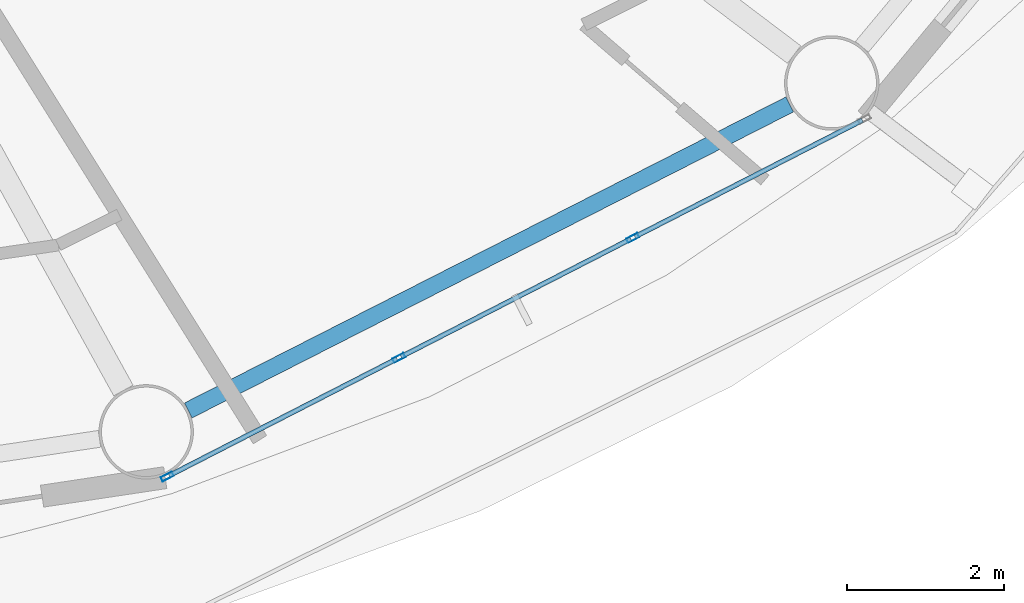
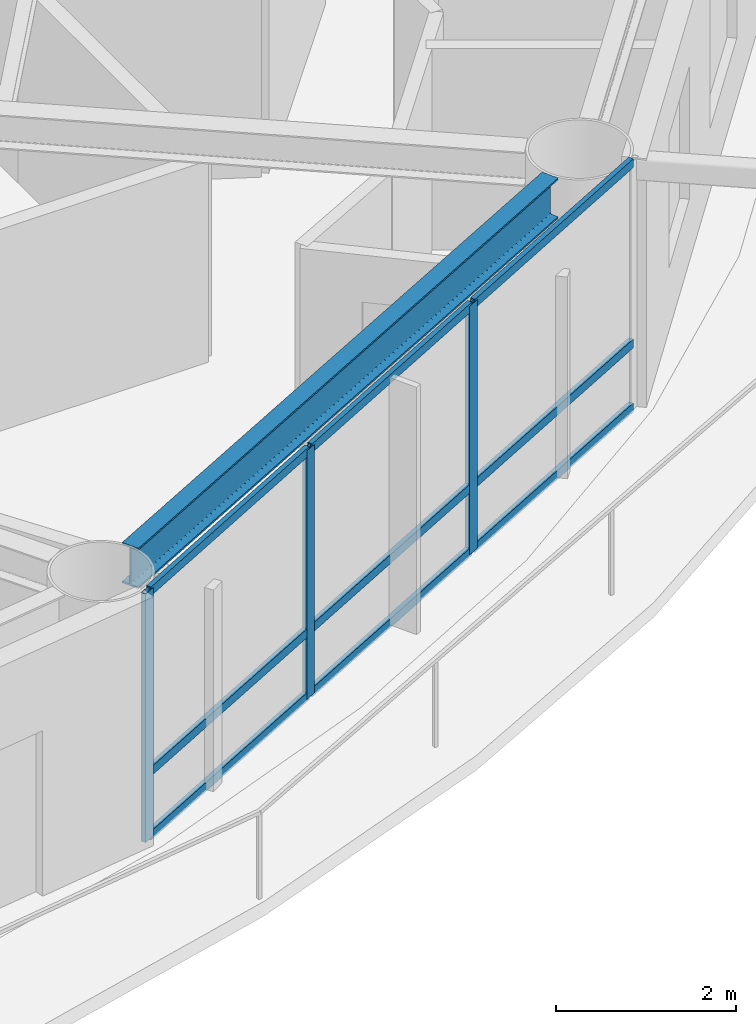
# One storey, part 5 of 27: 12 members, 1 beam, 1 element without a shape of its own.
"""IFC4 building model written with IfcOpenShell, lengths in metres."""

from ifc_helpers import new_model, si_unit, direction, frame, origin, origin_2d, place, context, subcontext, project, spatial, hollow_rectangle, i_section, extrude, material, layer, layer_set, material_profile, profile_set, type_object, element, aggregate, save


model = new_model("IFC4")

# Units and contexts
model_context = context("Model", 3, precision=1e-05, world=origin(), true_north=direction((0.0, 1.0)))
body_context = subcontext(model_context, "Body", "Model", "MODEL_VIEW")
ifc_project = project(units=[si_unit("LENGTHUNIT", "METRE"), si_unit("AREAUNIT", "SQUARE_METRE"), si_unit("VOLUMEUNIT", "CUBIC_METRE"), si_unit("PLANEANGLEUNIT", "RADIAN"), si_unit("MASSUNIT", "GRAM", prefix="KILO")], contexts=[model_context])

# Site, building, storey
site_placement = place(None, origin())
site = spatial("IfcSite", under=ifc_project, at=site_placement, CompositionType="ELEMENT")
building_placement = place(site_placement, origin())
building = spatial("IfcBuilding", under=site, at=building_placement, Name="Sarneth Arch Tower", CompositionType="ELEMENT")
storey_placement = place(building_placement, frame((0.0, 0.0, 193.800048828125)))
storey = spatial("IfcBuildingStorey", under=building, at=storey_placement, Name="L49", CompositionType="ELEMENT", Elevation=193.800048828125)

# Beam
ifc_material_1 = material(Name="Steel S355", Category="steel")
ifc_material_profile_1 = material_profile(ifc_material_1, i_section(OverallWidth=0.214111328125, OverallDepth=0.549072265625, WebThickness=0.0146484375, FlangeThickness=0.023681640625, FilletRadius=0.01806640625, at=origin_2d()), Name="W530x138")
ifc_profile_set_1 = profile_set([ifc_material_profile_1], Name="Steel S355")
beam_type = type_object("IfcBeamType", Name="BM-RAD-530A", PredefinedType="BEAM", material=ifc_profile_set_1)
beam_placement = place(storey_placement, frame((58.95654296875, 23.378662109375, 3.10546875), z_axis=(0.891250372735, 0.453511601945, 0.0), x_axis=(-0.453511601945, 0.891250372735, 0.0)))
element("IfcBeam", 1, at=beam_placement, inside=storey, type_object=beam_type, Name="L49 Perimeter spandrel beam 14", PredefinedType="BEAM", context=body_context, shape_type="SweptSolid", body=[
    extrude(i_section(OverallWidth=0.214111328125, OverallDepth=0.549072265625, WebThickness=0.0146484375, FlangeThickness=0.023681640625, FilletRadius=0.01806640625, at=origin_2d()), origin(), (0.0, 0.0, 1.0), 8.5751953125),
])

# Curtain wall, members
ifc_material_2 = material(Name="Anodised aluminium Type AA25 and solar-control low-e laminated IGU", Category="aluminium")
ifc_layer = layer(ifc_material_2, 0.169921875)
ifc_layer_set = layer_set([ifc_layer], Name="Anodised aluminium Type AA25 and solar-control low-e laminated IGU")
curtain_wall_type = type_object("IfcCurtainWallType", Name="CW-RES-MID", PredefinedType="NOTDEFINED", material=ifc_layer_set)
curtain_wall_placement = place(storey_placement, origin())
curtain_wall = element("IfcCurtainWall", 2, at=curtain_wall_placement, inside=storey, type_object=curtain_wall_type, Name="L49 Unitised curtain wall facet 14", PredefinedType="NOTDEFINED")
ifc_material_3 = material(Name="Anodised Aluminium 6063-T6", Category="aluminium")
ifc_material_profile_2 = material_profile(ifc_material_3, hollow_rectangle(XDim=0.06005859375, YDim=0.159912109375, WallThickness=0.00390625, at=origin_2d()), Name="AL-MULL-160x60x4")
ifc_profile_set_2 = profile_set([ifc_material_profile_2], Name="Anodised Aluminium 6063-T6")
member_type_1 = type_object("IfcMemberType", Name="CW-MULLION", PredefinedType="MULLION", material=ifc_profile_set_2)
member_1_placement = place(storey_placement, frame((58.689453125, 22.538330078125, 0.0), z_axis=(0.0, 0.0, 1.0), x_axis=(-0.456208470329, 0.88987293003, 0.0)))
member_1 = element("IfcMember", 3, at=member_1_placement, type_object=member_type_1, Name="CW-SYS-5 mullion 1", PredefinedType="MULLION", context=body_context, shape_type="SweptSolid", body=[
    extrude(hollow_rectangle(XDim=0.06005859375, YDim=0.159912109375, WallThickness=0.00390625, at=origin_2d()), origin(), (0.0, 0.0, 1.0), 3.3798828125),
])
member_2_placement = place(storey_placement, frame((61.634033203125, 24.0478515625, 0.0), z_axis=(0.0, 0.0, 1.0), x_axis=(-0.456208470329, 0.88987293003, 0.0)))
member_2 = element("IfcMember", 4, at=member_2_placement, type_object=member_type_1, Name="CW-SYS-5 mullion 2", PredefinedType="MULLION", context=body_context, shape_type="SweptSolid", body=[
    extrude(hollow_rectangle(XDim=0.06005859375, YDim=0.159912109375, WallThickness=0.00390625, at=origin_2d()), origin(), (0.0, 0.0, 1.0), 3.3798828125),
])
member_3_placement = place(storey_placement, frame((64.60498046875, 25.571044921875, 0.0), z_axis=(0.0, 0.0, 1.0), x_axis=(-0.456208470329, 0.88987293003, 0.0)))
member_3 = element("IfcMember", 5, at=member_3_placement, type_object=member_type_1, Name="CW-SYS-5 mullion 3", PredefinedType="MULLION", context=body_context, shape_type="SweptSolid", body=[
    extrude(hollow_rectangle(XDim=0.06005859375, YDim=0.159912109375, WallThickness=0.00390625, at=origin_2d()), origin(), (0.0, 0.0, 1.0), 3.3798828125),
])
ifc_material_4 = material(Name="Anodised Aluminium 6063-T6", Category="aluminium")
ifc_material_profile_3 = material_profile(ifc_material_4, hollow_rectangle(XDim=0.06005859375, YDim=0.1201171875, WallThickness=0.00390625, at=origin_2d()), Name="AL-TRAN-120x60x4")
ifc_profile_set_3 = profile_set([ifc_material_profile_3], Name="Anodised Aluminium 6063-T6")
member_type_2 = type_object("IfcMemberType", Name="CW-TRANSOM", PredefinedType="USERDEFINED", material=ifc_profile_set_3)
member_4_placement = place(storey_placement, frame((58.71630859375, 22.552001953125, 0.030029296875), z_axis=(0.889857362344, 0.456238835131, 0.0), x_axis=(-0.456238835131, 0.889857362344, 0.0)))
member_4 = element("IfcMember", 6, at=member_4_placement, type_object=member_type_2, Name="CW-SYS-5 transom 1.1", ObjectType="TRANSOM", PredefinedType="USERDEFINED", context=body_context, shape_type="SweptSolid", body=[
    extrude(hollow_rectangle(XDim=0.06005859375, YDim=0.1201171875, WallThickness=0.00390625, at=origin_2d()), origin(), (0.0, 0.0, 1.0), 3.248779296875),
])
member_5_placement = place(storey_placement, frame((58.71630859375, 22.552001953125, 0.89990234375), z_axis=(0.889857362344, 0.456238835131, 0.0), x_axis=(-0.456238835131, 0.889857362344, 0.0)))
member_5 = element("IfcMember", 7, at=member_5_placement, type_object=member_type_2, Name="CW-SYS-5 transom 1.2", ObjectType="TRANSOM", PredefinedType="USERDEFINED", context=body_context, shape_type="SweptSolid", body=[
    extrude(hollow_rectangle(XDim=0.06005859375, YDim=0.1201171875, WallThickness=0.00390625, at=origin_2d()), origin(), (0.0, 0.0, 1.0), 3.248779296875),
])
member_6_placement = place(storey_placement, frame((58.71630859375, 22.552001953125, 3.349853515625), z_axis=(0.889857362344, 0.456238835131, 0.0), x_axis=(-0.456238835131, 0.889857362344, 0.0)))
member_6 = element("IfcMember", 8, at=member_6_placement, type_object=member_type_2, Name="CW-SYS-5 transom 1.3", ObjectType="TRANSOM", PredefinedType="USERDEFINED", context=body_context, shape_type="SweptSolid", body=[
    extrude(hollow_rectangle(XDim=0.06005859375, YDim=0.1201171875, WallThickness=0.00390625, at=origin_2d()), origin(), (0.0, 0.0, 1.0), 3.248779296875),
])
member_7_placement = place(storey_placement, frame((61.66064453125, 24.0615234375, 0.030029296875), z_axis=(0.889869396751, 0.45621536222, 0.0), x_axis=(-0.45621536222, 0.889869396751, 0.0)))
member_7 = element("IfcMember", 9, at=member_7_placement, type_object=member_type_2, Name="CW-SYS-5 transom 2.1", ObjectType="TRANSOM", PredefinedType="USERDEFINED", context=body_context, shape_type="SweptSolid", body=[
    extrude(hollow_rectangle(XDim=0.06005859375, YDim=0.1201171875, WallThickness=0.00390625, at=origin_2d()), origin(), (0.0, 0.0, 1.0), 3.27880859375),
])
member_8_placement = place(storey_placement, frame((61.66064453125, 24.0615234375, 0.89990234375), z_axis=(0.889869396751, 0.45621536222, 0.0), x_axis=(-0.45621536222, 0.889869396751, 0.0)))
member_8 = element("IfcMember", 10, at=member_8_placement, type_object=member_type_2, Name="CW-SYS-5 transom 2.2", ObjectType="TRANSOM", PredefinedType="USERDEFINED", context=body_context, shape_type="SweptSolid", body=[
    extrude(hollow_rectangle(XDim=0.06005859375, YDim=0.1201171875, WallThickness=0.00390625, at=origin_2d()), origin(), (0.0, 0.0, 1.0), 3.27880859375),
])
member_9_placement = place(storey_placement, frame((61.66064453125, 24.0615234375, 3.349853515625), z_axis=(0.889869396751, 0.45621536222, 0.0), x_axis=(-0.45621536222, 0.889869396751, 0.0)))
member_9 = element("IfcMember", 11, at=member_9_placement, type_object=member_type_2, Name="CW-SYS-5 transom 2.3", ObjectType="TRANSOM", PredefinedType="USERDEFINED", context=body_context, shape_type="SweptSolid", body=[
    extrude(hollow_rectangle(XDim=0.06005859375, YDim=0.1201171875, WallThickness=0.00390625, at=origin_2d()), origin(), (0.0, 0.0, 1.0), 3.27880859375),
])
member_10_placement = place(storey_placement, frame((64.6318359375, 25.584716796875, 0.030029296875), z_axis=(0.889857362344, 0.456238835131, 0.0), x_axis=(-0.456238835131, 0.889857362344, 0.0)))
member_10 = element("IfcMember", 12, at=member_10_placement, type_object=member_type_2, Name="CW-SYS-5 transom 3.1", ObjectType="TRANSOM", PredefinedType="USERDEFINED", context=body_context, shape_type="SweptSolid", body=[
    extrude(hollow_rectangle(XDim=0.06005859375, YDim=0.1201171875, WallThickness=0.00390625, at=origin_2d()), origin(), (0.0, 0.0, 1.0), 3.248779296875),
])
member_11_placement = place(storey_placement, frame((64.6318359375, 25.584716796875, 0.89990234375), z_axis=(0.889857362344, 0.456238835131, 0.0), x_axis=(-0.456238835131, 0.889857362344, 0.0)))
member_11 = element("IfcMember", 13, at=member_11_placement, type_object=member_type_2, Name="CW-SYS-5 transom 3.2", ObjectType="TRANSOM", PredefinedType="USERDEFINED", context=body_context, shape_type="SweptSolid", body=[
    extrude(hollow_rectangle(XDim=0.06005859375, YDim=0.1201171875, WallThickness=0.00390625, at=origin_2d()), origin(), (0.0, 0.0, 1.0), 3.248779296875),
])
member_12_placement = place(storey_placement, frame((64.6318359375, 25.584716796875, 3.349853515625), z_axis=(0.889857362344, 0.456238835131, 0.0), x_axis=(-0.456238835131, 0.889857362344, 0.0)))
member_12 = element("IfcMember", 14, at=member_12_placement, type_object=member_type_2, Name="CW-SYS-5 transom 3.3", ObjectType="TRANSOM", PredefinedType="USERDEFINED", context=body_context, shape_type="SweptSolid", body=[
    extrude(hollow_rectangle(XDim=0.06005859375, YDim=0.1201171875, WallThickness=0.00390625, at=origin_2d()), origin(), (0.0, 0.0, 1.0), 3.248779296875),
])
aggregate(curtain_wall, [member_1, member_2, member_3, member_4, member_5, member_6, member_7, member_8, member_9, member_10, member_11, member_12])

save(model, "model.ifc")
